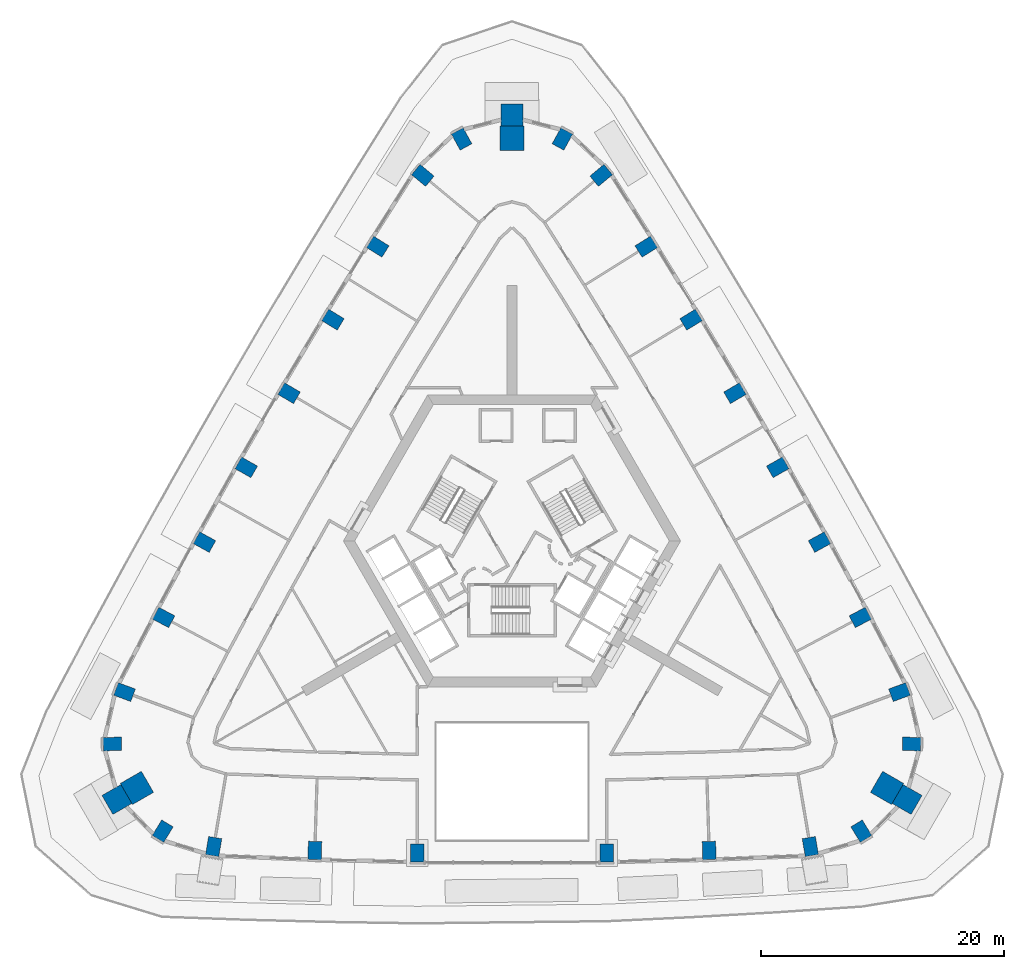
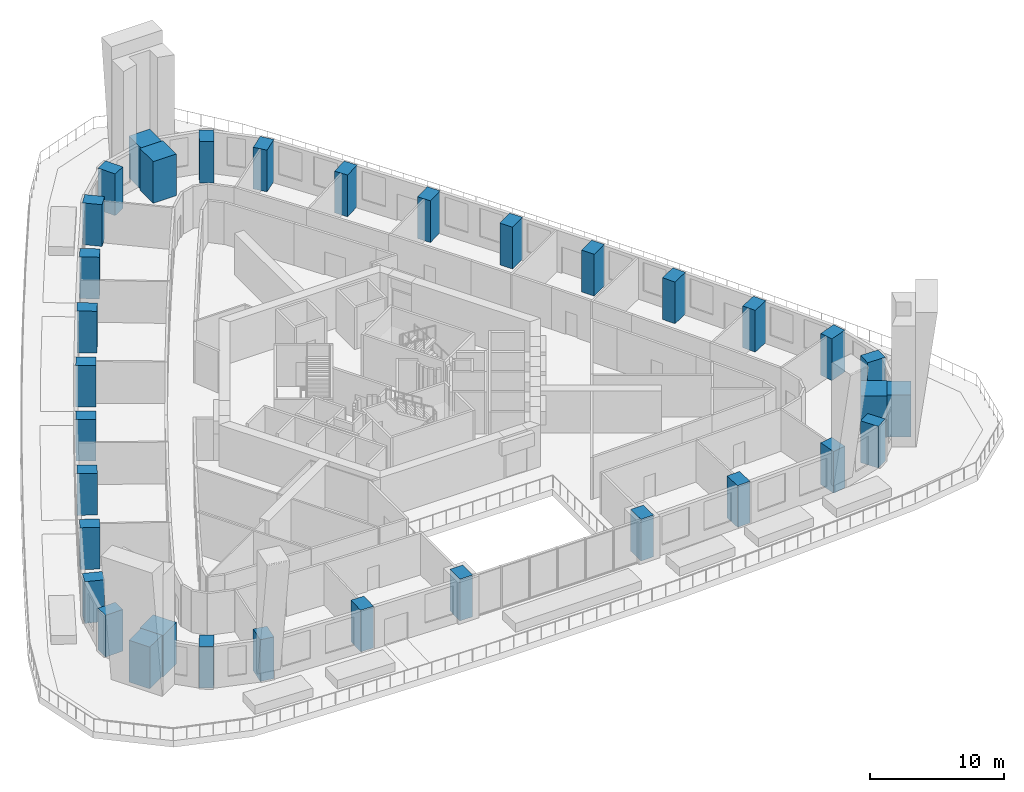
# One storey, part 1 of 16: 34 columns.
"""IFC4 building model written with IfcOpenShell, lengths in metres."""

import ifcopenshell
import ifcopenshell.guid

model = None  # the IFC model being written
_history = None  # IfcOwnerHistory: only IFC2X3 demands one
_inside = {}  # id of a spatial element -> (the spatial element, [elements in it])
_under = {}  # id of a project, library or spatial element -> (it, [spatial elements below it])
_declared = {}  # id of a project -> (the project, [libraries it declares])
_typed = {}  # id of a type object -> (the type object, [elements of that type])
_made_of = {}  # id of a material, layer set ... -> (it, [elements and type objects made of it])


def new_model(schema):
    """Start an empty IFC model of exactly this schema.

    Asked for "IFC4X3", IfcOpenShell would pick the latest addendum, in which some entities
    have other attributes; the version numbers below select the first issue.
    IFC2X3 requires an IfcOwnerHistory on every rooted entity: one is made here for all.
    """
    global model, _history
    if schema == "IFC4X3":
        model = ifcopenshell.file(schema_version=(4, 3, 0, 0))
    else:
        model = ifcopenshell.file(schema=schema)
    _inside.clear()
    _under.clear()
    _declared.clear()
    _typed.clear()
    _made_of.clear()
    _history = None
    if model.schema == "IFC2X3":
        org = make("IfcOrganization", Name="unknown")
        user = make(
            "IfcPersonAndOrganization",
            ThePerson=make("IfcPerson", FamilyName="unknown"),
            TheOrganization=org,
        )
        app = make(
            "IfcApplication",
            ApplicationDeveloper=org,
            Version="unknown",
            ApplicationFullName="unknown",
            ApplicationIdentifier="unknown",
        )
        _history = make(
            "IfcOwnerHistory",
            OwningUser=user,
            OwningApplication=app,
            ChangeAction="ADDED",
            CreationDate=0,
        )
    return model


def make(cls, **values):
    """One entity of the class cls with the attributes given. An attribute that is None is left unset."""
    return model.create_entity(
        cls, **{name: value for name, value in values.items() if value is not None}
    )


def rooted(cls, **values):
    """An entity with a GlobalId (a new one), such as an element, a storey or a relation."""
    return make(cls, GlobalId=ifcopenshell.guid.new(), OwnerHistory=_history, **values)


def si_unit(unit_type, name, prefix=None):
    """IfcSIUnit, for example si_unit("LENGTHUNIT", "METRE", prefix="MILLI")."""
    return make("IfcSIUnit", UnitType=unit_type, Prefix=prefix, Name=name)


def assignment(units):
    """IfcUnitAssignment: the units of a project."""
    return None if units is None else make("IfcUnitAssignment", Units=units)


def point(xyz):
    """IfcCartesianPoint."""
    return None if xyz is None else make("IfcCartesianPoint", Coordinates=xyz)


def direction(xyz):
    """IfcDirection."""
    return None if xyz is None else make("IfcDirection", DirectionRatios=xyz)


def frame(location, z_axis=None, x_axis=None):
    """IfcAxis2Placement3D, a coordinate frame: its origin and axes. An axis left out is left unset."""
    return make(
        "IfcAxis2Placement3D",
        Location=point(location),
        Axis=direction(z_axis),
        RefDirection=direction(x_axis),
    )


def frame_2d(location, x_axis=None):
    """IfcAxis2Placement2D, a coordinate frame in the plane: its origin and x axis."""
    return make(
        "IfcAxis2Placement2D", Location=point(location), RefDirection=direction(x_axis)
    )


def origin():
    """The frame at (0, 0, 0) with its axes left unset."""
    return frame((0.0, 0.0, 0.0))


def origin_2d():
    """The frame at (0, 0) in the plane with its x axis left unset."""
    return frame_2d((0.0, 0.0))


def place(relative_to, where):
    """IfcLocalPlacement: puts the frame where relative to a parent placement (None: the world)."""
    return make(
        "IfcLocalPlacement", PlacementRelTo=relative_to, RelativePlacement=where
    )


def context(
    kind, dimensions, precision=None, world=None, true_north=None, identifier=None
):
    """IfcGeometricRepresentationContext, for example the 3D "Model" context."""
    return make(
        "IfcGeometricRepresentationContext",
        ContextIdentifier=identifier,
        ContextType=kind,
        CoordinateSpaceDimension=dimensions,
        Precision=precision,
        WorldCoordinateSystem=world,
        TrueNorth=true_north,
    )


def subcontext(parent, identifier, kind, view, scale=None):
    """IfcGeometricRepresentationSubContext, for example "Body" below "Model"."""
    return make(
        "IfcGeometricRepresentationSubContext",
        ContextIdentifier=identifier,
        ContextType=kind,
        ParentContext=parent,
        TargetScale=scale,
        TargetView=view,
    )


def project(units=None, contexts=None):
    """IfcProject with its units and contexts."""
    return rooted(
        "IfcProject",
        Name="project",
        RepresentationContexts=contexts,
        UnitsInContext=assignment(units),
    )


def spatial(cls, under=None, at=None, **own):
    """A site, building, storey or space (cls), placed at a placement, below another one or the project."""
    s = rooted(cls, ObjectPlacement=at, **own)
    if under is not None:
        _under.setdefault(under.id(), (under, []))[1].append(s)
    return s


def profile(cls, at=None, kind="AREA", **sizes):
    """A parametric profile (cls). Its sizes go by their IFC names, for example OverallWidth=200.0."""
    return make(cls, ProfileType=kind, Position=at, **sizes)


def rectangle(**sizes):
    """IfcRectangleProfileDef."""
    return profile("IfcRectangleProfileDef", **sizes)


def extrude(swept, where, along, depth):
    """IfcExtrudedAreaSolid: the profile swept, set in the frame where, extruded along a direction by depth."""
    return make(
        "IfcExtrudedAreaSolid",
        SweptArea=swept,
        Position=where,
        ExtrudedDirection=direction(along),
        Depth=depth,
    )


def shape(context_of_items, identifier, shape_type, items):
    """IfcShapeRepresentation: the items that make up one representation, for example the "Body"."""
    return make(
        "IfcShapeRepresentation",
        ContextOfItems=context_of_items,
        RepresentationIdentifier=identifier,
        RepresentationType=shape_type,
        Items=items,
    )


def material(Name=None, Category=None):
    """IfcMaterial."""
    return make("IfcMaterial", Name=Name, Category=Category)


def material_profile(
    of_material, cross_section, Name=None, Category=None, Priority=None
):
    """IfcMaterialProfile: a cross section and its material."""
    return make(
        "IfcMaterialProfile",
        Name=Name,
        Material=of_material,
        Profile=cross_section,
        Priority=Priority,
        Category=Category,
    )


def profile_set(profiles, Name=None, composite=None):
    """IfcMaterialProfileSet."""
    return make(
        "IfcMaterialProfileSet",
        Name=Name,
        MaterialProfiles=profiles,
        CompositeProfile=composite,
    )


def made_of(thing, what):
    """Note that an element or type object is made of a material, layer set ...; save() writes the relation."""
    if what is not None:
        _made_of.setdefault(what.id(), (what, []))[1].append(thing)
    return thing


def type_object(cls, material=None, **own):
    """A type object (cls), such as IfcWallType, which elements share."""
    return made_of(rooted(cls, **own), material)


def element(
    cls,
    number,
    at=None,
    inside=None,
    cuts=None,
    type_object=None,
    material=None,
    context=None,
    identifier="Body",
    shape_type=None,
    held_by="IfcProductDefinitionShape",
    body=None,
    shapes=None,
    **own,
):
    """One element of the class cls, such as IfcWall. Its Tag is "e" and its number.

    at: its placement. inside: the storey or other place that contains it. cuts: it is an
    opening in that element (IfcRelVoidsElement). A single representation is given by context,
    identifier, shape_type and body (its items); several are given by shapes. held_by: the class
    of the entity that holds the representations. save() writes the other relations.
    """
    e = rooted(cls, Tag="e%d" % number, ObjectPlacement=at, **own)
    if body is not None:
        shapes = [shape(context, identifier, shape_type, body)]
    if shapes is not None:
        e.Representation = make(held_by, Representations=shapes)
    if inside is not None:
        _inside.setdefault(inside.id(), (inside, []))[1].append(e)
    if cuts is not None:
        rooted(
            "IfcRelVoidsElement", RelatingBuildingElement=cuts, RelatedOpeningElement=e
        )
    if type_object is not None:
        _typed.setdefault(type_object.id(), (type_object, []))[1].append(e)
    return made_of(e, material)


def aggregate(whole, parts):
    """IfcRelAggregates: a whole, such as a stair, and the parts it consists of."""
    return rooted("IfcRelAggregates", RelatingObject=whole, RelatedObjects=parts)


def save(model, path):
    """Write the relations noted so far, then the file.

    IfcRelAggregates (storeys below a building ...), IfcRelContainedInSpatialStructure (elements
    in a storey), IfcRelDefinesByType, IfcRelAssociatesMaterial and IfcRelDeclares: one each for
    every whole, place, type object, material and project.
    """
    for whole, parts in _under.values():
        aggregate(whole, parts)
    for where, things in _inside.values():
        rooted(
            "IfcRelContainedInSpatialStructure",
            RelatedElements=things,
            RelatingStructure=where,
        )
    for kind, things in _typed.values():
        rooted("IfcRelDefinesByType", RelatedObjects=things, RelatingType=kind)
    for what, things in _made_of.values():
        rooted("IfcRelAssociatesMaterial", RelatedObjects=things, RelatingMaterial=what)
    for by, libraries in _declared.values():
        rooted("IfcRelDeclares", RelatingContext=by, RelatedDefinitions=libraries)
    model.write(path)


model = new_model("IFC4")

# Units and contexts
model_context = context("Model", 3, precision=1e-05, world=origin(), true_north=direction((0.0, 1.0)))
body_context = subcontext(model_context, "Body", "Model", "MODEL_VIEW")
ifc_project = project(units=[si_unit("LENGTHUNIT", "METRE"), si_unit("AREAUNIT", "SQUARE_METRE"), si_unit("VOLUMEUNIT", "CUBIC_METRE"), si_unit("PLANEANGLEUNIT", "RADIAN"), si_unit("MASSUNIT", "GRAM", prefix="KILO")], contexts=[model_context])

# Site, building, storey
site_placement = place(None, origin())
site = spatial("IfcSite", under=ifc_project, at=site_placement, CompositionType="ELEMENT")
building_placement = place(site_placement, origin())
building = spatial("IfcBuilding", under=site, at=building_placement, Name="Entoto Arch Interchange Tower", CompositionType="ELEMENT")
storey_placement = place(building_placement, frame((0.0, 0.0, 138.199951171875)))
storey = spatial("IfcBuildingStorey", under=building, at=storey_placement, Name="L30", CompositionType="ELEMENT", Elevation=138.199951171875)

# Columns
ifc_material_1 = material(Name="Concrete C50/60", Category="concrete")
ifc_material_profile_1 = material_profile(ifc_material_1, rectangle(XDim=1.10009765625, YDim=1.5, at=origin_2d()))
ifc_profile_set_1 = profile_set([ifc_material_profile_1], Name="Concrete C50/60")
column_type_1 = type_object("IfcColumnType", Name="Column RC 1100x1500 C50/60", PredefinedType="COLUMN", material=ifc_profile_set_1)
for number, where, z_axis, x_axis, name in (
    (1, (-24.51806640625, -22.617919921875, 0.0), (0.0, 0.0, 1.0), (-0.985753417505, 0.168196908046, 0.0), "Column S01 L30"),
    (2, (-16.205078125, -22.94189453125, 0.0), (0.0, 0.0, 1.0), (-0.999496089207, 0.031742206272, 0.0), "Column S02 L30"),
    (3, (-7.7890625, -23.14111328125, 0.0), (0.0, 0.0, 1.0), (-0.999931015761, 0.011745795767, 0.0), "Column S03 L30"),
    (4, (7.7890625, -23.14111328125, 0.0), (0.0, 0.0, 1.0), (0.999931015761, 0.011745795767, 0.0), "Column S04 L30"),
    (5, (16.205078125, -22.94189453125, 0.0), (0.0, 0.0, 1.0), (0.999496089207, 0.031742206272, 0.0), "Column S05 L30"),
    (6, (24.51806640625, -22.617919921875, 0.0), (0.0, 0.0, 1.0), (0.985753417505, 0.168196908046, 0.0), "Column S06 L30"),
    (7, (28.70703125, -21.35205078125, 0.0), (0.0, 0.0, 1.0), (0.853714435155, 0.520741455243, 0.0), "Column SE1 L30"),
    (8, (32.844970703125, -14.18505859375, 0.0), (0.0, 0.0, 1.0), (0.024118111467, 0.999709116043, 0.0), "Column SE3 L30"),
    (9, (31.845947265625, -9.923095703125, 0.0), (0.0, 0.0, 1.0), (-0.346591874029, 0.93801603017, 0.0), "Column NE01 L30"),
    (10, (28.6259765625, -3.7880859375, 0.0), (0.0, 0.0, 1.0), (-0.469856776649, 0.882742663202, 0.0), "Column NE02 L30"),
    (11, (25.27490234375, 2.403076171875, 0.0), (0.0, 0.0, 1.0), (-0.481983074142, 0.876180527198, 0.0), "Column NE03 L30"),
    (12, (21.840087890625, 8.5458984375, 0.0), (0.0, 0.0, 1.0), (-0.49401774245, 0.869451821635, 0.0), "Column NE04 L30"),
    (13, (18.322021484375, 14.64208984375, 0.0), (0.0, 0.0, 1.0), (-0.505958493678, 0.8625578257, 0.0), "Column NE05 L30"),
    (14, (14.718994140625, 20.68798828125, 0.0), (0.0, 0.0, 1.0), (-0.517803057784, 0.85549985, 0.0), "Column NE06 L30"),
    (15, (11.032958984375, 26.68408203125, 0.0), (0.0, 0.0, 1.0), (-0.529549183013, 0.848279236319, 0.0), "Column NE07 L30"),
    (16, (7.3291015625, 32.541015625, 0.0), (0.0, 0.0, 1.0), (-0.63904977427, 0.76916538274, 0.0), "Column NE08 L30"),
    (17, (4.137939453125, 35.537109375, 0.0), (0.0, 0.0, 1.0), (-0.877832546621, 0.4789676608, 0.0), "Column N1 L30"),
    (18, (-4.137939453125, 35.537109375, 0.0), (0.0, 0.0, 1.0), (0.877832546621, 0.4789676608, 0.0), "Column N3 L30"),
    (19, (-7.3291015625, 32.541015625, 0.0), (0.0, 0.0, 1.0), (0.63904977427, 0.76916538274, 0.0), "Column NW01 L30"),
    (20, (-11.032958984375, 26.68408203125, 0.0), (0.0, 0.0, 1.0), (0.529549183013, 0.848279236319, 0.0), "Column NW02 L30"),
    (21, (-14.718994140625, 20.68798828125, 0.0), (0.0, 0.0, 1.0), (0.517803057784, 0.85549985, 0.0), "Column NW03 L30"),
    (22, (-18.322021484375, 14.64208984375, 0.0), (0.0, 0.0, 1.0), (0.505958493678, 0.8625578257, 0.0), "Column NW04 L30"),
    (23, (-21.840087890625, 8.5458984375, 0.0), (0.0, 0.0, 1.0), (0.49401774245, 0.869451821635, 0.0), "Column NW05 L30"),
    (24, (-25.27490234375, 2.403076171875, 0.0), (0.0, 0.0, 1.0), (0.481983074142, 0.876180527198, 0.0), "Column NW06 L30"),
    (25, (-28.6259765625, -3.7880859375, 0.0), (0.0, 0.0, 1.0), (0.469856776649, 0.882742663202, 0.0), "Column NW07 L30"),
    (26, (-31.845947265625, -9.923095703125, 0.0), (0.0, 0.0, 1.0), (0.346591874029, 0.93801603017, 0.0), "Column NW08 L30"),
    (27, (-32.844970703125, -14.18505859375, 0.0), (0.0, 0.0, 1.0), (-0.024118111467, 0.999709116043, 0.0), "Column SW1 L30"),
    (28, (-28.70703125, -21.35205078125, 0.0), (0.0, 0.0, 1.0), (-0.853714435155, 0.520741455243, 0.0), "Column SW3 L30"),
):
    element("IfcColumn", number, at=place(storey_placement, frame(where, z_axis=z_axis, x_axis=x_axis)), inside=storey, type_object=column_type_1, Name=name, PredefinedType="COLUMN", context=body_context, shape_type="SweptSolid", body=[
        extrude(rectangle(XDim=1.10009765625, YDim=1.5, at=origin_2d()), origin(), (0.0, 0.0, 1.0), 3.800048828125),
    ])
ifc_material_2 = material(Name="Precast concrete C40/50", Category="concrete")
ifc_material_profile_2 = material_profile(ifc_material_2, rectangle(XDim=1.800048828125, YDim=1.800048828125, at=origin_2d()))
ifc_profile_set_2 = profile_set([ifc_material_profile_2], Name="Precast concrete C40/50")
column_type_2 = type_object("IfcColumnType", Name="Frame post RC 1800x1800 precast C40/50", PredefinedType="COLUMN", material=ifc_profile_set_2)
for number, where, z_axis, x_axis, name in (
    (29, (32.469970703125, -18.74609375, 0.0), (0.0, 0.0, 1.0), (-0.866025403784, 0.5, 0.0), "Frame post SE L30"),
    (30, (0.0, 37.492919921875, 0.0), (0.0, 0.0, 1.0), (0.0, 1.0, 0.0), "Frame post N L30"),
    (31, (-32.469970703125, -18.74609375, 0.0), (0.0, 0.0, 1.0), (0.866025403784, 0.5, 0.0), "Frame post SW L30"),
):
    element("IfcColumn", number, at=place(storey_placement, frame(where, z_axis=z_axis, x_axis=x_axis)), inside=storey, type_object=column_type_2, Name=name, PredefinedType="COLUMN", context=body_context, shape_type="SweptSolid", body=[
        extrude(rectangle(XDim=1.800048828125, YDim=1.800048828125, at=origin_2d()), origin(), (0.0, 0.0, 1.0), 3.800048828125),
    ])
ifc_material_profile_3 = material_profile(ifc_material_1, rectangle(XDim=2.0, YDim=2.0, at=origin_2d()))
ifc_profile_set_3 = profile_set([ifc_material_profile_3], Name="Concrete C50/60")
column_type_3 = type_object("IfcColumnType", Name="Mega column RC 2000x2000 C50/60", PredefinedType="COLUMN", material=ifc_profile_set_3)
for number, where, z_axis, x_axis, name in (
    (32, (30.824951171875, -17.7958984375, 0.0), (0.0, 0.0, 1.0), (-0.866025403784, 0.5, 0.0), "Corner mega column SE2 L30"),
    (33, (0.0, 35.593017578125, 0.0), (0.0, 0.0, 1.0), (0.0, 1.0, 0.0), "Corner mega column N2 L30"),
    (34, (-30.824951171875, -17.7958984375, 0.0), (0.0, 0.0, 1.0), (0.866025403784, 0.5, 0.0), "Corner mega column SW2 L30"),
):
    element("IfcColumn", number, at=place(storey_placement, frame(where, z_axis=z_axis, x_axis=x_axis)), inside=storey, type_object=column_type_3, Name=name, PredefinedType="COLUMN", context=body_context, shape_type="SweptSolid", body=[
        extrude(rectangle(XDim=2.0, YDim=2.0, at=origin_2d()), origin(), (0.0, 0.0, 1.0), 3.800048828125),
    ])

save(model, "model.ifc")
